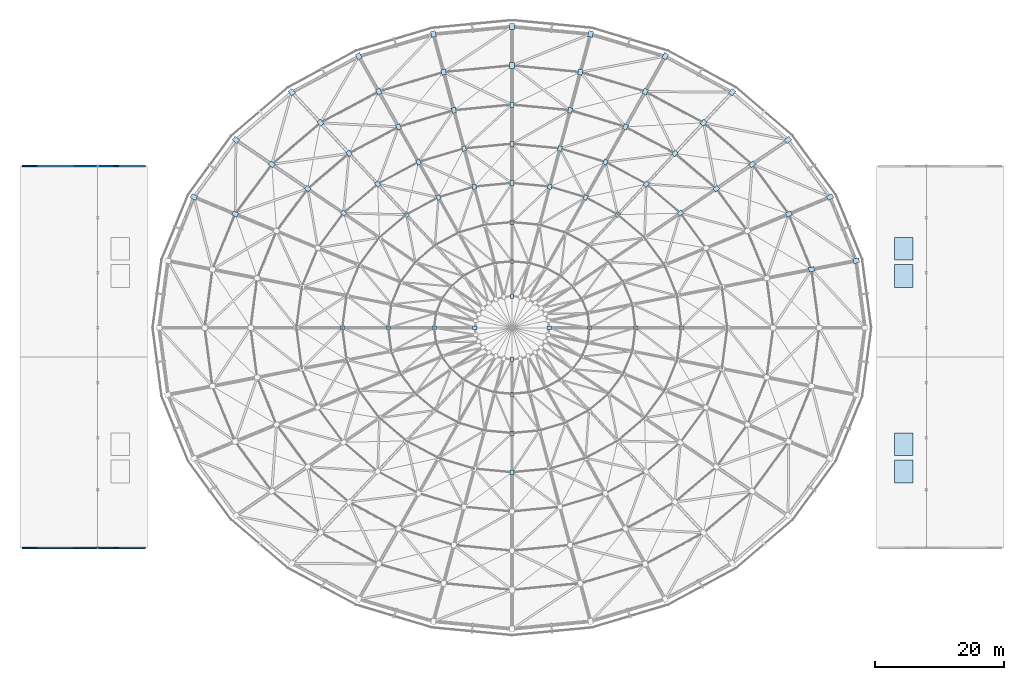
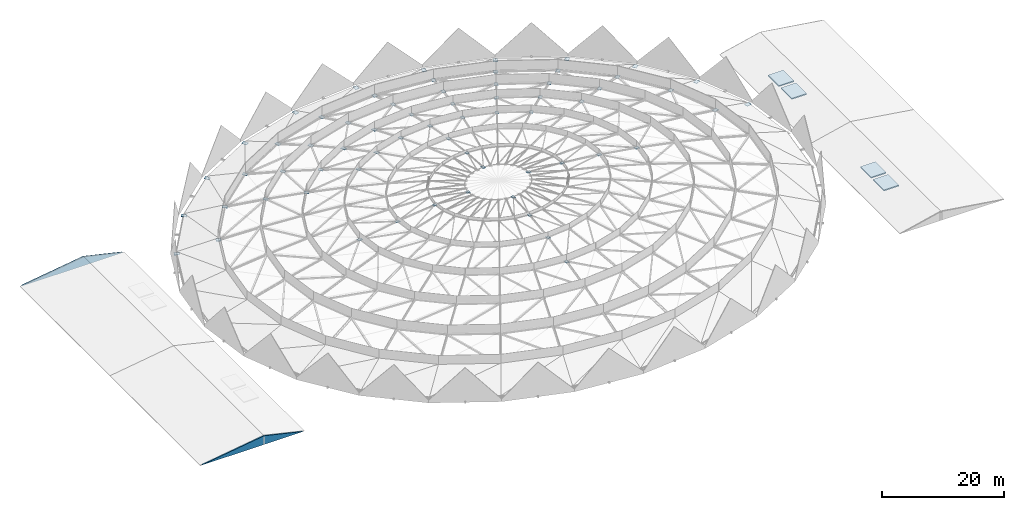
# One storey, part 17 of 27: 64 plates, 4 slabs, 2 walls.
"""IFC4 building model written with IfcOpenShell, lengths in metres."""

from ifc_helpers import new_model, si_unit, direction, frame, origin, origin_2d, place, context, subcontext, project, spatial, polyline, rectangle, outline, extrude, material, layer, layer_set, type_object, element, save


model = new_model("IFC4")

# Units and contexts
model_context = context("Model", 3, precision=1e-05, world=origin(), true_north=direction((0.0, 1.0)))
body_context = subcontext(model_context, "Body", "Model", "MODEL_VIEW")
ifc_project = project(units=[si_unit("LENGTHUNIT", "METRE"), si_unit("AREAUNIT", "SQUARE_METRE"), si_unit("VOLUMEUNIT", "CUBIC_METRE"), si_unit("PLANEANGLEUNIT", "RADIAN"), si_unit("MASSUNIT", "GRAM", prefix="KILO")], contexts=[model_context])

# Site, building, storey
site_placement = place(None, origin())
site = spatial("IfcSite", under=ifc_project, at=site_placement, CompositionType="ELEMENT")
building_placement = place(site_placement, origin())
building = spatial("IfcBuilding", under=site, at=building_placement, Name="Cuetzalor Civic Arena", CompositionType="ELEMENT")
storey_placement = place(building_placement, frame((0.0, 0.0, 31.800048828125)))
storey = spatial("IfcBuildingStorey", under=building, at=storey_placement, Name="Roof", CompositionType="ELEMENT", Elevation=31.800048828125)

# Slabs
ifc_material_1 = material(Name="Concrete C40/50", Category="concrete")
ifc_layer_1 = layer(ifc_material_1, 0.219970703125)
ifc_layer_set_1 = layer_set([ifc_layer_1], Name="Concrete C40/50")
slab_type = type_object("IfcSlabType", Name="LiftShaftRoofCapSlab_220", PredefinedType="ROOF", material=ifc_layer_set_1)
slab_1_placement = place(storey_placement, frame((0.0, 0.0, 1.39990234375)))
element("IfcSlab", 1, at=slab_1_placement, inside=storey, type_object=slab_type, Name="Lift Shaft Overrun Cap Slab LF-03", PredefinedType="ROOF", context=body_context, shape_type="SweptSolid", body=[
    extrude(outline(polyline([(59.080078125, -19.77001953125), (61.919921875, -19.77001953125), (61.919921875, -16.22998046875), (59.080078125, -16.22998046875), (59.080078125, -19.77001953125)])), origin(), (0.0, 0.0, 1.0), 0.219970703125),
])
slab_2_placement = place(storey_placement, frame((0.0, 0.0, 1.39990234375)))
element("IfcSlab", 2, at=slab_2_placement, inside=storey, type_object=slab_type, Name="Lift Shaft Overrun Cap Slab LF-04", PredefinedType="ROOF", context=body_context, shape_type="SweptSolid", body=[
    extrude(outline(polyline([(59.080078125, 6.22998046875), (61.919921875, 6.22998046875), (61.919921875, 9.77001953125), (59.080078125, 9.77001953125), (59.080078125, 6.22998046875)])), origin(), (0.0, 0.0, 1.0), 0.219970703125),
])
slab_3_placement = place(storey_placement, frame((0.0, 0.0, 1.39990234375)))
element("IfcSlab", 3, at=slab_3_placement, inside=storey, type_object=slab_type, Name="Lift Shaft Overrun Cap Slab LP-05", PredefinedType="ROOF", context=body_context, shape_type="SweptSolid", body=[
    extrude(outline(polyline([(59.080078125, -23.969970703125), (61.919921875, -23.969970703125), (61.919921875, -20.429931640625), (59.080078125, -20.429931640625), (59.080078125, -23.969970703125)])), origin(), (0.0, 0.0, 1.0), 0.219970703125),
])
slab_4_placement = place(storey_placement, frame((0.0, 0.0, 1.39990234375)))
element("IfcSlab", 4, at=slab_4_placement, inside=storey, type_object=slab_type, Name="Lift Shaft Overrun Cap Slab LP-06", PredefinedType="ROOF", context=body_context, shape_type="SweptSolid", body=[
    extrude(outline(polyline([(59.080078125, 10.429931640625), (61.919921875, 10.429931640625), (61.919921875, 13.969970703125), (59.080078125, 13.969970703125), (59.080078125, 10.429931640625)])), origin(), (0.0, 0.0, 1.0), 0.219970703125),
])

# Plates
ifc_material_2 = material(Name="Steel S355", Category="steel")
ifc_layer_2 = layer(ifc_material_2, 0.06005859375)
ifc_layer_set_2 = layer_set([ifc_layer_2], Name="Steel S355")
plate_type_1 = type_object("IfcPlateType", Name="NodalGussetPlate_GP01", PredefinedType="USERDEFINED", material=ifc_layer_set_2)
for number, where, z_axis, x_axis, name in (
    (5, (53.182373046875, 10.3583984375, -0.030029296875), (0.0, 0.0, 1.0), (0.974916814618, 0.222569549971, 0.0), "Space-Frame Dome Nodal Gusset Hub R0-S02"),
    (6, (49.14794921875, 20.197265625, -0.030029296875), (0.0, 0.0, 1.0), (0.90100131981, 0.43381634559, 0.0), "Space-Frame Dome Nodal Gusset Hub R0-S03"),
    (7, (42.64892578125, 29.0234375, -0.030029296875), (0.0, 0.0, 1.0), (0.781847027868, 0.623470308046, 0.0), "Space-Frame Dome Nodal Gusset Hub R0-S04"),
    (8, (34.011474609375, 36.394287109375, -0.030029296875), (0.0, 0.0, 1.0), (0.623470308046, 0.781847027868, 0.0), "Space-Frame Dome Nodal Gusset Hub R0-S05"),
    (9, (23.66845703125, 41.940185546875, -0.030029296875), (0.0, 0.0, 1.0), (0.43381634559, 0.90100131981, 0.0), "Space-Frame Dome Nodal Gusset Hub R0-S06"),
    (10, (12.138427734375, 45.3828125, -0.030029296875), (0.0, 0.0, 1.0), (0.222569549971, 0.974916814618, 0.0), "Space-Frame Dome Nodal Gusset Hub R0-S07"),
    (11, (0.0, 46.550048828125, -0.030029296875), (0.0, 0.0, 1.0), (0.0, 1.0, 0.0), "Space-Frame Dome Nodal Gusset Hub R0-S08"),
    (12, (-12.138427734375, 45.3828125, -0.030029296875), (0.0, 0.0, 1.0), (-0.222569549971, 0.974916814618, 0.0), "Space-Frame Dome Nodal Gusset Hub R0-S09"),
    (13, (-23.66845703125, 41.940185546875, -0.030029296875), (0.0, 0.0, 1.0), (-0.43381634559, 0.90100131981, 0.0), "Space-Frame Dome Nodal Gusset Hub R0-S10"),
    (14, (-34.011474609375, 36.394287109375, -0.030029296875), (0.0, 0.0, 1.0), (-0.623470308046, 0.781847027868, 0.0), "Space-Frame Dome Nodal Gusset Hub R0-S11"),
    (15, (-42.64892578125, 29.0234375, -0.030029296875), (0.0, 0.0, 1.0), (-0.781847027868, 0.623470308046, 0.0), "Space-Frame Dome Nodal Gusset Hub R0-S12"),
    (16, (-49.14794921875, 20.197265625, -0.030029296875), (0.0, 0.0, 1.0), (-0.90100131981, 0.43381634559, 0.0), "Space-Frame Dome Nodal Gusset Hub R0-S13"),
):
    element("IfcPlate", number, at=place(storey_placement, frame(where, z_axis=z_axis, x_axis=x_axis)), inside=storey, type_object=plate_type_1, Name=name, ObjectType="GUSSET PLATE", PredefinedType="USERDEFINED", context=body_context, shape_type="SweptSolid", body=[
        extrude(rectangle(XDim=0.919921875, YDim=0.739990234375, at=origin_2d()), origin(), (0.0, 0.0, 1.0), 0.06005859375),
    ])
ifc_material_3 = material(Name="Steel S355", Category="steel")
ifc_layer_3 = layer(ifc_material_3, 0.050048828125)
ifc_layer_set_3 = layer_set([ifc_layer_3], Name="Steel S355")
plate_type_2 = type_object("IfcPlateType", Name="NodalGussetPlate_GP02", PredefinedType="USERDEFINED", material=ifc_layer_set_3)
for number, where, z_axis, x_axis, name in (
    (17, (46.2685546875, 9.01171875, 2.0859375), (0.0, 0.0, 1.0), (0.974916814618, 0.222569549971, 0.0), "Space-Frame Dome Nodal Gusset Hub R1-S02"),
    (18, (42.758544921875, 17.571533203125, 2.0859375), (0.0, 0.0, 1.0), (0.90100131981, 0.43381634559, 0.0), "Space-Frame Dome Nodal Gusset Hub R1-S03"),
    (19, (37.1044921875, 25.25048828125, 2.0859375), (0.0, 0.0, 1.0), (0.781847027868, 0.623470308046, 0.0), "Space-Frame Dome Nodal Gusset Hub R1-S04"),
    (20, (29.58984375, 31.6630859375, 2.0859375), (0.0, 0.0, 1.0), (0.623470308046, 0.781847027868, 0.0), "Space-Frame Dome Nodal Gusset Hub R1-S05"),
    (21, (20.591552734375, 36.48779296875, 2.0859375), (0.0, 0.0, 1.0), (0.43381634559, 0.90100131981, 0.0), "Space-Frame Dome Nodal Gusset Hub R1-S06"),
    (22, (10.560546875, 39.483154296875, 2.0859375), (0.0, 0.0, 1.0), (0.222569549971, 0.974916814618, 0.0), "Space-Frame Dome Nodal Gusset Hub R1-S07"),
    (23, (0.0, 40.49853515625, 2.0859375), (0.0, 0.0, 1.0), (0.0, 1.0, 0.0), "Space-Frame Dome Nodal Gusset Hub R1-S08"),
    (24, (-10.560546875, 39.483154296875, 2.0859375), (0.0, 0.0, 1.0), (-0.222569549971, 0.974916814618, 0.0), "Space-Frame Dome Nodal Gusset Hub R1-S09"),
    (25, (-20.591552734375, 36.48779296875, 2.0859375), (0.0, 0.0, 1.0), (-0.43381634559, 0.90100131981, 0.0), "Space-Frame Dome Nodal Gusset Hub R1-S10"),
    (26, (-29.58984375, 31.6630859375, 2.0859375), (0.0, 0.0, 1.0), (-0.623470308046, 0.781847027868, 0.0), "Space-Frame Dome Nodal Gusset Hub R1-S11"),
    (27, (-37.1044921875, 25.25048828125, 2.0859375), (0.0, 0.0, 1.0), (-0.781847027868, 0.623470308046, 0.0), "Space-Frame Dome Nodal Gusset Hub R1-S12"),
    (28, (-42.758544921875, 17.571533203125, 2.0859375), (0.0, 0.0, 1.0), (-0.90100131981, 0.43381634559, 0.0), "Space-Frame Dome Nodal Gusset Hub R1-S13"),
):
    element("IfcPlate", number, at=place(storey_placement, frame(where, z_axis=z_axis, x_axis=x_axis)), inside=storey, type_object=plate_type_2, Name=name, ObjectType="GUSSET PLATE", PredefinedType="USERDEFINED", context=body_context, shape_type="SweptSolid", body=[
        extrude(rectangle(XDim=0.8798828125, YDim=0.699951171875, at=origin_2d()), origin(), (0.0, 0.0, 1.0), 0.050048828125),
    ])
ifc_material_4 = material(Name="Steel S355", Category="steel")
ifc_layer_4 = layer(ifc_material_4, 0.044921875)
ifc_layer_set_4 = layer_set([ifc_layer_4], Name="Steel S355")
plate_type_3 = type_object("IfcPlateType", Name="NodalGussetPlate_GP03", PredefinedType="USERDEFINED", material=ifc_layer_set_4)
for number, where, z_axis, x_axis, name in (
    (29, (31.560302734375, 21.477294921875, 3.982177734375), (0.0, 0.0, 1.0), (0.781847027868, 0.623470308046, 0.0), "Space-Frame Dome Nodal Gusset Hub R2-S04"),
    (30, (25.16845703125, 26.931640625, 3.982177734375), (0.0, 0.0, 1.0), (0.623470308046, 0.781847027868, 0.0), "Space-Frame Dome Nodal Gusset Hub R2-S05"),
    (31, (17.5146484375, 31.03564453125, 3.982177734375), (0.0, 0.0, 1.0), (0.43381634559, 0.90100131981, 0.0), "Space-Frame Dome Nodal Gusset Hub R2-S06"),
    (32, (8.982421875, 33.583251953125, 3.982177734375), (0.0, 0.0, 1.0), (0.222569549971, 0.974916814618, 0.0), "Space-Frame Dome Nodal Gusset Hub R2-S07"),
    (33, (0.0, 34.447021484375, 3.982177734375), (0.0, 0.0, 1.0), (0.0, 1.0, 0.0), "Space-Frame Dome Nodal Gusset Hub R2-S08"),
    (34, (-8.982421875, 33.583251953125, 3.982177734375), (0.0, 0.0, 1.0), (-0.222569549971, 0.974916814618, 0.0), "Space-Frame Dome Nodal Gusset Hub R2-S09"),
    (35, (-17.5146484375, 31.03564453125, 3.982177734375), (0.0, 0.0, 1.0), (-0.43381634559, 0.90100131981, 0.0), "Space-Frame Dome Nodal Gusset Hub R2-S10"),
    (36, (-25.16845703125, 26.931640625, 3.982177734375), (0.0, 0.0, 1.0), (-0.623470308046, 0.781847027868, 0.0), "Space-Frame Dome Nodal Gusset Hub R2-S11"),
    (37, (-31.560302734375, 21.477294921875, 3.982177734375), (0.0, 0.0, 1.0), (-0.781847027868, 0.623470308046, 0.0), "Space-Frame Dome Nodal Gusset Hub R2-S12"),
):
    element("IfcPlate", number, at=place(storey_placement, frame(where, z_axis=z_axis, x_axis=x_axis)), inside=storey, type_object=plate_type_3, Name=name, ObjectType="GUSSET PLATE", PredefinedType="USERDEFINED", context=body_context, shape_type="SweptSolid", body=[
        extrude(rectangle(XDim=0.840087890625, YDim=0.659912109375, at=origin_2d()), origin(), (0.0, 0.0, 1.0), 0.044921875),
    ])
ifc_material_5 = material(Name="Steel S355", Category="steel")
ifc_layer_5 = layer(ifc_material_5, 0.0400390625)
ifc_layer_set_5 = layer_set([ifc_layer_5], Name="Steel S355")
plate_type_4 = type_object("IfcPlateType", Name="NodalGussetPlate_GP04", PredefinedType="USERDEFINED", material=ifc_layer_set_5)
for number, where, z_axis, x_axis, name in (
    (38, (26.015869140625, 17.704345703125, 5.646484375), (0.0, 0.0, 1.0), (0.781847027868, 0.623470308046, 0.0), "Space-Frame Dome Nodal Gusset Hub R3-S04"),
    (39, (20.746826171875, 22.200439453125, 5.646484375), (0.0, 0.0, 1.0), (0.623470308046, 0.781847027868, 0.0), "Space-Frame Dome Nodal Gusset Hub R3-S05"),
    (40, (14.437744140625, 25.58349609375, 5.646484375), (0.0, 0.0, 1.0), (0.43381634559, 0.90100131981, 0.0), "Space-Frame Dome Nodal Gusset Hub R3-S06"),
    (41, (7.404541015625, 27.68359375, 5.646484375), (0.0, 0.0, 1.0), (0.222569549971, 0.974916814618, 0.0), "Space-Frame Dome Nodal Gusset Hub R3-S07"),
    (42, (0.0, 28.3955078125, 5.646484375), (0.0, 0.0, 1.0), (0.0, 1.0, 0.0), "Space-Frame Dome Nodal Gusset Hub R3-S08"),
    (43, (-7.404541015625, 27.68359375, 5.646484375), (0.0, 0.0, 1.0), (-0.222569549971, 0.974916814618, 0.0), "Space-Frame Dome Nodal Gusset Hub R3-S09"),
    (44, (-14.437744140625, 25.58349609375, 5.646484375), (0.0, 0.0, 1.0), (-0.43381634559, 0.90100131981, 0.0), "Space-Frame Dome Nodal Gusset Hub R3-S10"),
    (45, (-20.746826171875, 22.200439453125, 5.646484375), (0.0, 0.0, 1.0), (-0.623470308046, 0.781847027868, 0.0), "Space-Frame Dome Nodal Gusset Hub R3-S11"),
    (46, (-26.015869140625, 17.704345703125, 5.646484375), (0.0, 0.0, 1.0), (-0.781847027868, 0.623470308046, 0.0), "Space-Frame Dome Nodal Gusset Hub R3-S12"),
):
    element("IfcPlate", number, at=place(storey_placement, frame(where, z_axis=z_axis, x_axis=x_axis)), inside=storey, type_object=plate_type_4, Name=name, ObjectType="GUSSET PLATE", PredefinedType="USERDEFINED", context=body_context, shape_type="SweptSolid", body=[
        extrude(rectangle(XDim=0.800048828125, YDim=0.639892578125, at=origin_2d()), origin(), (0.0, 0.0, 1.0), 0.0400390625),
    ])
ifc_material_6 = material(Name="Steel S355", Category="steel")
ifc_layer_6 = layer(ifc_material_6, 0.034912109375)
ifc_layer_set_6 = layer_set([ifc_layer_6], Name="Steel S355")
plate_type_5 = type_object("IfcPlateType", Name="NodalGussetPlate_GP05", PredefinedType="USERDEFINED", material=ifc_layer_set_6)
for number, where, z_axis, x_axis, name in (
    (47, (26.18408203125, 0.0, 7.06005859375), (0.0, 0.0, 1.0), (1.0, 0.0, 0.0), "Space-Frame Dome Nodal Gusset Hub R4-S01"),
    (48, (16.325439453125, 17.46923828125, 7.06005859375), (0.0, 0.0, 1.0), (0.623470308046, 0.781847027868, 0.0), "Space-Frame Dome Nodal Gusset Hub R4-S05"),
    (49, (11.36083984375, 20.131103515625, 7.06005859375), (0.0, 0.0, 1.0), (0.43381634559, 0.90100131981, 0.0), "Space-Frame Dome Nodal Gusset Hub R4-S06"),
    (50, (5.826416015625, 21.78369140625, 7.06005859375), (0.0, 0.0, 1.0), (0.222569549971, 0.974916814618, 0.0), "Space-Frame Dome Nodal Gusset Hub R4-S07"),
    (51, (0.0, 22.343994140625, 7.06005859375), (0.0, 0.0, 1.0), (0.0, 1.0, 0.0), "Space-Frame Dome Nodal Gusset Hub R4-S08"),
    (52, (-5.826416015625, 21.78369140625, 7.06005859375), (0.0, 0.0, 1.0), (-0.222569549971, 0.974916814618, 0.0), "Space-Frame Dome Nodal Gusset Hub R4-S09"),
    (53, (-11.36083984375, 20.131103515625, 7.06005859375), (0.0, 0.0, 1.0), (-0.43381634559, 0.90100131981, 0.0), "Space-Frame Dome Nodal Gusset Hub R4-S10"),
    (54, (-16.325439453125, 17.46923828125, 7.06005859375), (0.0, 0.0, 1.0), (-0.623470308046, 0.781847027868, 0.0), "Space-Frame Dome Nodal Gusset Hub R4-S11"),
    (55, (-26.18408203125, 0.0, 7.06005859375), (0.0, 0.0, 1.0), (-1.0, 0.0, 0.0), "Space-Frame Dome Nodal Gusset Hub R4-S15"),
    (56, (0.0, -22.343994140625, 7.06005859375), (0.0, 0.0, 1.0), (0.0, -1.0, 0.0), "Space-Frame Dome Nodal Gusset Hub R4-S22"),
):
    element("IfcPlate", number, at=place(storey_placement, frame(where, z_axis=z_axis, x_axis=x_axis)), inside=storey, type_object=plate_type_5, Name=name, ObjectType="GUSSET PLATE", PredefinedType="USERDEFINED", context=body_context, shape_type="SweptSolid", body=[
        extrude(rectangle(XDim=0.760009765625, YDim=0.60009765625, at=origin_2d()), origin(), (0.0, 0.0, 1.0), 0.034912109375),
    ])
ifc_material_7 = material(Name="Steel S355", Category="steel")
ifc_layer_7 = layer(ifc_material_7, 0.030029296875)
ifc_layer_set_7 = layer_set([ifc_layer_7], Name="Steel S355")
plate_type_6 = type_object("IfcPlateType", Name="NodalGussetPlate_GP06", PredefinedType="USERDEFINED", material=ifc_layer_set_7)
for number, where, z_axis, x_axis, name in (
    (57, (19.092529296875, 0.0, 8.1953125), (0.0, 0.0, 1.0), (1.0, 0.0, 0.0), "Space-Frame Dome Nodal Gusset Hub R5-S01"),
    (58, (0.0, 16.29248046875, 8.1953125), (0.0, 0.0, 1.0), (0.0, 1.0, 0.0), "Space-Frame Dome Nodal Gusset Hub R5-S08"),
    (59, (-19.092529296875, 0.0, 8.1953125), (0.0, 0.0, 1.0), (-1.0, 0.0, 0.0), "Space-Frame Dome Nodal Gusset Hub R5-S15"),
    (60, (0.0, -16.29248046875, 8.1953125), (0.0, 0.0, 1.0), (0.0, -1.0, 0.0), "Space-Frame Dome Nodal Gusset Hub R5-S22"),
):
    element("IfcPlate", number, at=place(storey_placement, frame(where, z_axis=z_axis, x_axis=x_axis)), inside=storey, type_object=plate_type_6, Name=name, ObjectType="GUSSET PLATE", PredefinedType="USERDEFINED", context=body_context, shape_type="SweptSolid", body=[
        extrude(rectangle(XDim=0.719970703125, YDim=0.56005859375, at=origin_2d()), origin(), (0.0, 0.0, 1.0), 0.030029296875),
    ])
ifc_material_8 = material(Name="Steel S355", Category="steel")
ifc_layer_8 = layer(ifc_material_8, 0.02490234375)
ifc_layer_set_8 = layer_set([ifc_layer_8], Name="Steel S355")
plate_type_7 = type_object("IfcPlateType", Name="NodalGussetPlate_GP07", PredefinedType="USERDEFINED", material=ifc_layer_set_8)
for number, where, z_axis, x_axis, name in (
    (61, (12.0009765625, 0.0, 9.00830078125), (0.0, 0.0, 1.0), (1.0, 0.0, 0.0), "Space-Frame Dome Nodal Gusset Hub R6-S01"),
    (62, (0.0, 10.240966796875, 9.00830078125), (0.0, 0.0, 1.0), (0.0, 1.0, 0.0), "Space-Frame Dome Nodal Gusset Hub R6-S08"),
    (63, (-12.0009765625, 0.0, 9.00830078125), (0.0, 0.0, 1.0), (-1.0, 0.0, 0.0), "Space-Frame Dome Nodal Gusset Hub R6-S15"),
    (64, (0.0, -10.240966796875, 9.00830078125), (0.0, 0.0, 1.0), (0.0, -1.0, 0.0), "Space-Frame Dome Nodal Gusset Hub R6-S22"),
    (65, (5.727783203125, 0.0, 9.387451171875), (0.0, 0.0, 1.0), (1.0, 0.0, 0.0), "Space-Frame Dome Nodal Gusset Hub R7-S01"),
    (66, (0.0, 4.8876953125, 9.387451171875), (0.0, 0.0, 1.0), (0.0, 1.0, 0.0), "Space-Frame Dome Nodal Gusset Hub R7-S08"),
    (67, (-5.727783203125, 0.0, 9.387451171875), (0.0, 0.0, 1.0), (-1.0, 0.0, 0.0), "Space-Frame Dome Nodal Gusset Hub R7-S15"),
    (68, (0.0, -4.8876953125, 9.387451171875), (0.0, 0.0, 1.0), (0.0, -1.0, 0.0), "Space-Frame Dome Nodal Gusset Hub R7-S22"),
):
    element("IfcPlate", number, at=place(storey_placement, frame(where, z_axis=z_axis, x_axis=x_axis)), inside=storey, type_object=plate_type_7, Name=name, ObjectType="GUSSET PLATE", PredefinedType="USERDEFINED", context=body_context, shape_type="SweptSolid", body=[
        extrude(rectangle(XDim=0.679931640625, YDim=0.5400390625, at=origin_2d()), origin(), (0.0, 0.0, 1.0), 0.02490234375),
    ])

# Walls
ifc_material_9 = material(Name="Insulated bronze aluminium panel wall", Category="aluminium")
ifc_layer_9 = layer(ifc_material_9, 0.260009765625)
ifc_layer_set_9 = layer_set([ifc_layer_9], Name="Insulated bronze aluminium panel wall")
wall_type = type_object("IfcWallType", Name="MediaClerestoryWall_260", PredefinedType="SOLIDWALL", material=ifc_layer_set_9)
wall_1_placement = place(storey_placement, frame((-56.64990234375, -34.0, 0.0), z_axis=(0.0, 0.0, 1.0), x_axis=(-1.0, 0.0, 0.0)))
element("IfcWall", 69, at=wall_1_placement, inside=storey, type_object=wall_type, Name="V4W Sloped Zinc Roof Gable Wall S", PredefinedType="SOLIDWALL", context=body_context, shape_type="SweptSolid", body=[
    extrude(outline(polyline([(0.0, 0.0), (19.0, 0.0), (19.0, 0.050048828125), (7.35009765625, 1.75), (0.0, 0.050048828125), (0.0, 0.0)])), frame((0.0, 0.1298828125, 0.0), z_axis=(0.0, -1.0, 0.0), x_axis=(1.0, 0.0, 0.0)), (0.0, 0.0, 1.0), 0.260009765625),
])
wall_2_placement = place(storey_placement, frame((-75.64990234375, 25.0, 0.0), z_axis=(0.0, 0.0, 1.0), x_axis=(1.0, 0.0, 0.0)))
element("IfcWall", 70, at=wall_2_placement, inside=storey, type_object=wall_type, Name="V4W Sloped Zinc Roof Gable Wall N", PredefinedType="SOLIDWALL", context=body_context, shape_type="SweptSolid", body=[
    extrude(outline(polyline([(0.0, 0.0), (19.0, 0.0), (19.0, 0.050048828125), (11.64990234375, 1.75), (0.0, 0.050048828125), (0.0, 0.0)])), frame((0.0, 0.1298828125, 0.0), z_axis=(0.0, -1.0, 0.0), x_axis=(1.0, 0.0, 0.0)), (0.0, 0.0, 1.0), 0.260009765625),
])

save(model, "model.ifc")
